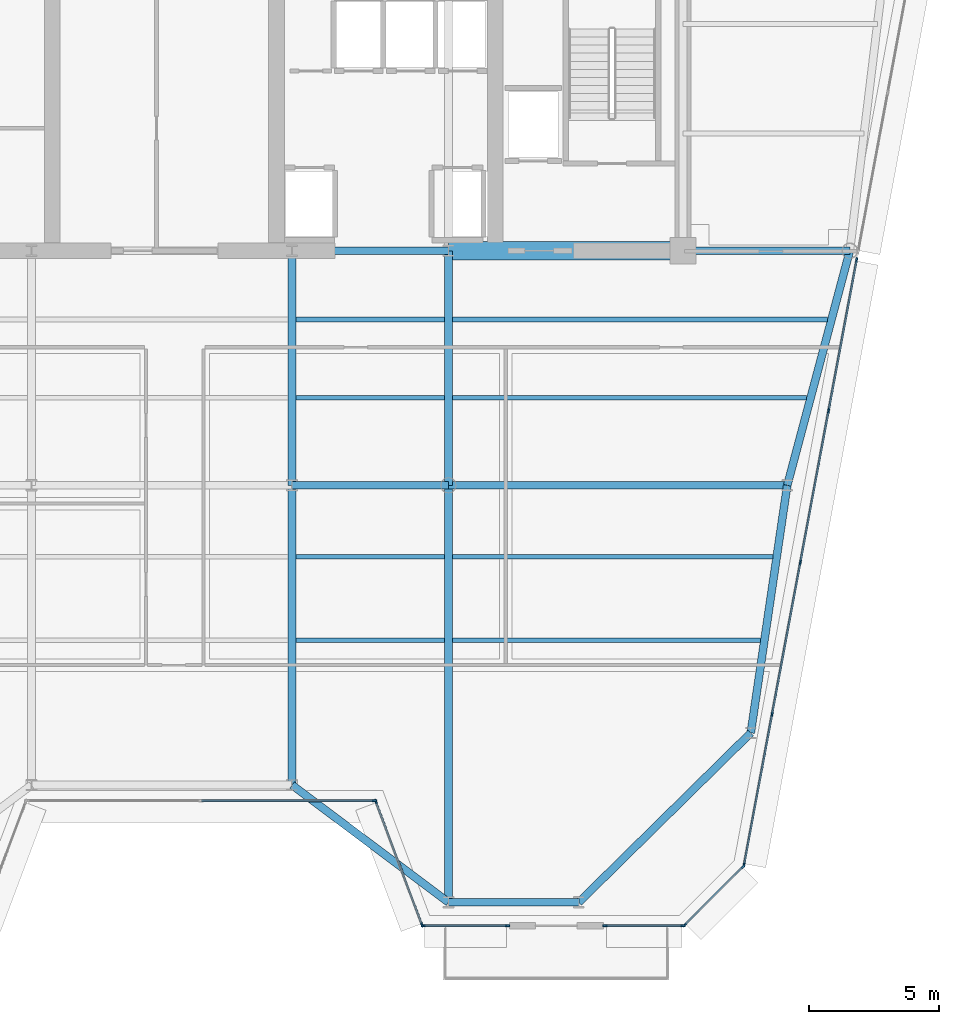
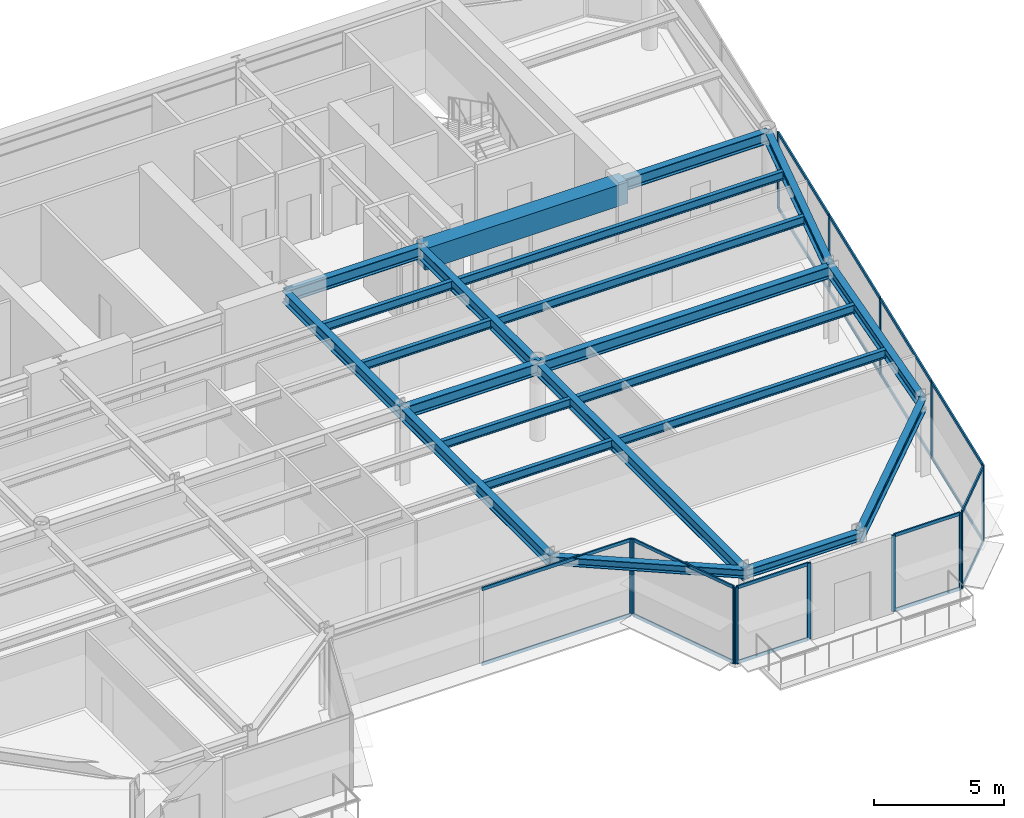
# One storey, part 4 of 14: 32 members, 22 beams, 6 elements without a shape of their own.
"""IFC4 building model written with IfcOpenShell, lengths in metres."""

from ifc_helpers import new_model, si_unit, direction, frame, origin, origin_2d, place, context, subcontext, project, spatial, rectangle, i_section, extrude, source, transform, mapped, material, layer, layer_set, material_profile, profile_set, type_object, element, aggregate, save


model = new_model("IFC4")

# Units and contexts
model_context = context("Model", 3, precision=1e-05, world=origin(), true_north=direction((0.0, 1.0)))
body_context = subcontext(model_context, "Body", "Model", "MODEL_VIEW")
ifc_project = project(units=[si_unit("LENGTHUNIT", "METRE"), si_unit("AREAUNIT", "SQUARE_METRE"), si_unit("VOLUMEUNIT", "CUBIC_METRE"), si_unit("PLANEANGLEUNIT", "RADIAN"), si_unit("MASSUNIT", "GRAM", prefix="KILO")], contexts=[model_context])

# Site, building, storey
site_placement = place(None, origin())
site = spatial("IfcSite", under=ifc_project, at=site_placement, CompositionType="ELEMENT")
building_placement = place(site_placement, origin())
building = spatial("IfcBuilding", under=site, at=building_placement, Name="Vaeldorn Concourse Tower", CompositionType="ELEMENT")
storey_placement = place(building_placement, frame((0.0, 0.0, 238.39990234375)))
storey = spatial("IfcBuildingStorey", under=building, at=storey_placement, Name="L61", CompositionType="ELEMENT", Elevation=238.39990234375)

# Beams
ifc_material_1 = material(Name="Concrete C50/60", Category="concrete")
ifc_material_profile_1 = material_profile(ifc_material_1, rectangle(XDim=0.699951171875, YDim=1.0, at=origin_2d()), Name="RC 700x1000")
ifc_profile_set_1 = profile_set([ifc_material_profile_1], Name="Concrete C50/60")
beam_type_1 = type_object("IfcBeamType", Name="BM-CB-RC700", PredefinedType="BEAM", material=ifc_profile_set_1)
shared_shape_1 = source(origin(), body_context, "Body", "SweptSolid", [
    extrude(rectangle(XDim=0.699951171875, YDim=1.0, at=origin_2d()), origin(), (0.0, 0.0, 1.0), 9.0),
])
beam_1_placement = place(storey_placement, frame((45.0, 36.5, 3.080078125), z_axis=(1.0, 0.0, 0.0), x_axis=(0.0, 1.0, 0.0)))
element("IfcBeam", 1, at=beam_1_placement, inside=storey, type_object=beam_type_1, Name="Core Coupling Beam L61-2", PredefinedType="BEAM", context=body_context, shape_type="MappedRepresentation", body=[
    mapped(shared_shape_1, transform((0.0, 0.0, 0.0), scale=1.0)),
])
ifc_material_2 = material(Name="Steel S355", Category="steel")
ifc_material_profile_2 = material_profile(ifc_material_2, i_section(OverallWidth=0.300048828125, OverallDepth=0.39990234375, WebThickness=0.013427734375, FlangeThickness=0.02392578125, FilletRadius=0.027099609375, at=origin_2d()), Name="HEB 400")
ifc_profile_set_2 = profile_set([ifc_material_profile_2], Name="Steel S355")
beam_type_2 = type_object("IfcBeamType", Name="BM-SP-HEB400", PredefinedType="SPANDREL", material=ifc_profile_set_2)
shared_shape_2 = source(origin(), body_context, "Body", "SweptSolid", [
    extrude(i_section(OverallWidth=0.300048828125, OverallDepth=0.39990234375, WebThickness=0.013427734375, FlangeThickness=0.02392578125, FilletRadius=0.027099609375, at=origin_2d()), origin(), (0.0, 0.0, 1.0), 5.0),
])
beam_2_placement = place(storey_placement, frame((45.0, 11.5, 3.380126953125), z_axis=(1.0, 0.0, 0.0), x_axis=(0.0, 1.0, 0.0)))
element("IfcBeam", 2, at=beam_2_placement, inside=storey, type_object=beam_type_2, Name="Beam BM-L61-C-SF5-C-SF6", PredefinedType="SPANDREL", context=body_context, shape_type="MappedRepresentation", body=[
    mapped(shared_shape_2, transform((0.0, 0.0, 0.0), scale=1.0)),
])
shared_shape_3 = source(origin(), body_context, "Body", "SweptSolid", [
    extrude(i_section(OverallWidth=0.300048828125, OverallDepth=0.39990234375, WebThickness=0.013427734375, FlangeThickness=0.02392578125, FilletRadius=0.027099609375, at=origin_2d()), origin(), (0.0, 0.0, 1.0), 7.5),
])
beam_3_placement = place(storey_placement, frame((39.0, 16.0, 3.380126953125), z_axis=(0.8, -0.6, 0.0), x_axis=(0.6, 0.8, 0.0)))
element("IfcBeam", 3, at=beam_3_placement, inside=storey, type_object=beam_type_2, Name="Beam BM-L61-C-SF4-C-SF5", PredefinedType="SPANDREL", context=body_context, shape_type="MappedRepresentation", body=[
    mapped(shared_shape_3, transform((0.0, 0.0, 0.0), scale=1.0)),
])
ifc_material_profile_3 = material_profile(ifc_material_2, i_section(OverallWidth=0.179931640625, OverallDepth=0.39990234375, WebThickness=0.008544921875, FlangeThickness=0.013427734375, FilletRadius=0.02099609375, at=origin_2d()), Name="IPE 400")
ifc_profile_set_3 = profile_set([ifc_material_profile_3], Name="Steel S355")
beam_type_3 = type_object("IfcBeamType", Name="BM-JS-IPE400", PredefinedType="JOIST", material=ifc_profile_set_3)
shared_shape_4 = source(origin(), body_context, "Body", "SweptSolid", [
    extrude(i_section(OverallWidth=0.179931640625, OverallDepth=0.39990234375, WebThickness=0.008544921875, FlangeThickness=0.013427734375, FilletRadius=0.02099609375, at=origin_2d()), origin(), (0.0, 0.0, 1.0), 5.7001953125),
])
for number, where, z_axis, x_axis, name in (
    (4, (39.14990234375, 21.56005859375, 3.380126953125), (1.0, 0.0, 0.0), (0.0, 1.0, 0.0), "Beam JS-L61-E2-215"),
    (5, (39.14990234375, 24.760009765625, 3.380126953125), (1.0, 0.0, 0.0), (0.0, 1.0, 0.0), "Beam JS-L61-E2-247"),
    (6, (39.14990234375, 30.860107421875, 3.380126953125), (1.0, 0.0, 0.0), (0.0, 1.0, 0.0), "Beam JS-L61-E2-308"),
    (7, (39.14990234375, 33.860107421875, 3.380126953125), (1.0, 0.0, 0.0), (0.0, 1.0, 0.0), "Beam JS-L61-E2-338"),
):
    element("IfcBeam", number, at=place(storey_placement, frame(where, z_axis=z_axis, x_axis=x_axis)), inside=storey, type_object=beam_type_3, Name=name, PredefinedType="JOIST", context=body_context, shape_type="MappedRepresentation", body=[
        mapped(shared_shape_4, transform((0.0, 0.0, 0.0), scale=1.0)),
    ])
shared_shape_5 = source(origin(), body_context, "Body", "SweptSolid", [
    extrude(i_section(OverallWidth=0.179931640625, OverallDepth=0.39990234375, WebThickness=0.008544921875, FlangeThickness=0.013427734375, FilletRadius=0.02099609375, at=origin_2d()), origin(), (0.0, 0.0, 1.0), 11.82470703125),
])
beam_4_placement = place(storey_placement, frame((45.14990234375, 21.56005859375, 3.380126953125), z_axis=(1.0, 0.0, 0.0), x_axis=(0.0, 1.0, 0.0)))
element("IfcBeam", 8, at=beam_4_placement, inside=storey, type_object=beam_type_3, Name="Beam JS-L61-E1-215", PredefinedType="JOIST", context=body_context, shape_type="MappedRepresentation", body=[
    mapped(shared_shape_5, transform((0.0, 0.0, 0.0), scale=1.0)),
])
shared_shape_6 = source(origin(), body_context, "Body", "SweptSolid", [
    extrude(i_section(OverallWidth=0.179931640625, OverallDepth=0.39990234375, WebThickness=0.008544921875, FlangeThickness=0.013427734375, FilletRadius=0.02099609375, at=origin_2d()), origin(), (0.0, 0.0, 1.0), 12.29638671875),
])
beam_5_placement = place(storey_placement, frame((45.14990234375, 24.760009765625, 3.380126953125), z_axis=(1.0, 0.0, 0.0), x_axis=(0.0, 1.0, 0.0)))
element("IfcBeam", 9, at=beam_5_placement, inside=storey, type_object=beam_type_3, Name="Beam JS-L61-E1-247", PredefinedType="JOIST", context=body_context, shape_type="MappedRepresentation", body=[
    mapped(shared_shape_6, transform((0.0, 0.0, 0.0), scale=1.0)),
])
shared_shape_7 = source(origin(), body_context, "Body", "SweptSolid", [
    extrude(i_section(OverallWidth=0.179931640625, OverallDepth=0.39990234375, WebThickness=0.008544921875, FlangeThickness=0.013427734375, FilletRadius=0.02099609375, at=origin_2d()), origin(), (0.0, 0.0, 1.0), 13.59619140625),
])
beam_6_placement = place(storey_placement, frame((45.14990234375, 30.860107421875, 3.380126953125), z_axis=(1.0, 0.0, 0.0), x_axis=(0.0, 1.0, 0.0)))
element("IfcBeam", 10, at=beam_6_placement, inside=storey, type_object=beam_type_3, Name="Beam JS-L61-E1-308", PredefinedType="JOIST", context=body_context, shape_type="MappedRepresentation", body=[
    mapped(shared_shape_7, transform((0.0, 0.0, 0.0), scale=1.0)),
])
shared_shape_8 = source(origin(), body_context, "Body", "SweptSolid", [
    extrude(i_section(OverallWidth=0.179931640625, OverallDepth=0.39990234375, WebThickness=0.008544921875, FlangeThickness=0.013427734375, FilletRadius=0.02099609375, at=origin_2d()), origin(), (0.0, 0.0, 1.0), 14.39599609375),
])
beam_7_placement = place(storey_placement, frame((45.14990234375, 33.860107421875, 3.380126953125), z_axis=(1.0, 0.0, 0.0), x_axis=(0.0, 1.0, 0.0)))
element("IfcBeam", 11, at=beam_7_placement, inside=storey, type_object=beam_type_3, Name="Beam JS-L61-E1-338", PredefinedType="JOIST", context=body_context, shape_type="MappedRepresentation", body=[
    mapped(shared_shape_8, transform((0.0, 0.0, 0.0), scale=1.0)),
])
ifc_material_profile_4 = material_profile(ifc_material_2, i_section(OverallWidth=0.300048828125, OverallDepth=0.550048828125, WebThickness=0.014892578125, FlangeThickness=0.029052734375, FilletRadius=0.027099609375, at=origin_2d()), Name="HEB 550")
ifc_profile_set_4 = profile_set([ifc_material_profile_4], Name="Steel S355")
beam_type_4 = type_object("IfcBeamType", Name="BM-PG-HEB550", PredefinedType="BEAM", material=ifc_profile_set_4)
shared_shape_9 = source(origin(), body_context, "Body", "SweptSolid", [
    extrude(i_section(OverallWidth=0.300048828125, OverallDepth=0.550048828125, WebThickness=0.014892578125, FlangeThickness=0.029052734375, FilletRadius=0.027099609375, at=origin_2d()), origin(), (0.0, 0.0, 1.0), 6.0),
])
for number, where, z_axis, x_axis, name in (
    (12, (39.0, 36.5, 3.30517578125), (1.0, 0.0, 0.0), (0.0, 1.0, 0.0), "Beam BM-L61-C-FC4-C-FC5"),
    (13, (39.0, 27.5, 3.30517578125), (1.0, 0.0, 0.0), (0.0, 1.0, 0.0), "Beam BM-L61-C-TW3-C-TW4"),
):
    element("IfcBeam", number, at=place(storey_placement, frame(where, z_axis=z_axis, x_axis=x_axis)), inside=storey, type_object=beam_type_4, Name=name, PredefinedType="BEAM", context=body_context, shape_type="MappedRepresentation", body=[
        mapped(shared_shape_9, transform((0.0, 0.0, 0.0), scale=1.0)),
    ])
shared_shape_10 = source(origin(), body_context, "Body", "SweptSolid", [
    extrude(i_section(OverallWidth=0.300048828125, OverallDepth=0.550048828125, WebThickness=0.014892578125, FlangeThickness=0.029052734375, FilletRadius=0.027099609375, at=origin_2d()), origin(), (0.0, 0.0, 1.0), 9.0),
])
for number, where, z_axis, x_axis, name in (
    (14, (39.0, 27.5, 3.30517578125), (0.0, 1.0, 0.0), (-1.0, 0.0, 0.0), "Beam BM-L61-C-TW3-C-FC4"),
    (15, (45.0, 27.5, 3.30517578125), (0.0, 1.0, 0.0), (-1.0, 0.0, 0.0), "Beam BM-L61-C-TW4-C-FC5"),
):
    element("IfcBeam", number, at=place(storey_placement, frame(where, z_axis=z_axis, x_axis=x_axis)), inside=storey, type_object=beam_type_4, Name=name, PredefinedType="BEAM", context=body_context, shape_type="MappedRepresentation", body=[
        mapped(shared_shape_10, transform((0.0, 0.0, 0.0), scale=1.0)),
    ])
shared_shape_11 = source(origin(), body_context, "Body", "SweptSolid", [
    extrude(i_section(OverallWidth=0.300048828125, OverallDepth=0.550048828125, WebThickness=0.014892578125, FlangeThickness=0.029052734375, FilletRadius=0.027099609375, at=origin_2d()), origin(), (0.0, 0.0, 1.0), 6.39990234375),
])
beam_8_placement = place(storey_placement, frame((54.0, 36.5, 3.30517578125), z_axis=(1.0, 0.0, 0.0), x_axis=(0.0, 1.0, 0.0)))
element("IfcBeam", 16, at=beam_8_placement, inside=storey, type_object=beam_type_4, Name="Beam BM-L61-C-FC6-C-NE2", PredefinedType="BEAM", context=body_context, shape_type="MappedRepresentation", body=[
    mapped(shared_shape_11, transform((0.0, 0.0, 0.0), scale=1.0)),
])
shared_shape_12 = source(origin(), body_context, "Body", "SweptSolid", [
    extrude(i_section(OverallWidth=0.300048828125, OverallDepth=0.550048828125, WebThickness=0.014892578125, FlangeThickness=0.029052734375, FilletRadius=0.027099609375, at=origin_2d()), origin(), (0.0, 0.0, 1.0), 9.314453125),
])
beam_9_placement = place(storey_placement, frame((60.39990234375, 36.5, 3.30517578125), z_axis=(-0.257652862255, -0.966237549763, 0.0), x_axis=(0.966237549763, -0.257652862255, 0.0)))
element("IfcBeam", 17, at=beam_9_placement, inside=storey, type_object=beam_type_4, Name="Beam BM-L61-C-NE2-C-FLE1", PredefinedType="BEAM", context=body_context, shape_type="MappedRepresentation", body=[
    mapped(shared_shape_12, transform((0.0, 0.0, 0.0), scale=1.0)),
])
shared_shape_13 = source(origin(), body_context, "Body", "SweptSolid", [
    extrude(i_section(OverallWidth=0.300048828125, OverallDepth=0.550048828125, WebThickness=0.014892578125, FlangeThickness=0.029052734375, FilletRadius=0.027099609375, at=origin_2d()), origin(), (0.0, 0.0, 1.0), 13.0),
])
beam_10_placement = place(storey_placement, frame((45.0, 27.5, 3.30517578125), z_axis=(1.0, 0.0, 0.0), x_axis=(0.0, 1.0, 0.0)))
element("IfcBeam", 18, at=beam_10_placement, inside=storey, type_object=beam_type_4, Name="Beam BM-L61-C-TW4-C-FLE1", PredefinedType="BEAM", context=body_context, shape_type="MappedRepresentation", body=[
    mapped(shared_shape_13, transform((0.0, 0.0, 0.0), scale=1.0)),
])
shared_shape_14 = source(origin(), body_context, "Body", "SweptSolid", [
    extrude(i_section(OverallWidth=0.300048828125, OverallDepth=0.550048828125, WebThickness=0.014892578125, FlangeThickness=0.029052734375, FilletRadius=0.027099609375, at=origin_2d()), origin(), (0.0, 0.0, 1.0), 9.6025390625),
])
beam_11_placement = place(storey_placement, frame((58.0, 27.5, 3.30517578125), z_axis=(-0.145783835977, -0.989316467652, 0.0), x_axis=(0.989316467652, -0.145783835977, 0.0)))
element("IfcBeam", 19, at=beam_11_placement, inside=storey, type_object=beam_type_4, Name="Beam BM-L61-C-FLE1-C-FLE2", PredefinedType="BEAM", context=body_context, shape_type="MappedRepresentation", body=[
    mapped(shared_shape_14, transform((0.0, 0.0, 0.0), scale=1.0)),
])
shared_shape_15 = source(origin(), body_context, "Body", "SweptSolid", [
    extrude(i_section(OverallWidth=0.300048828125, OverallDepth=0.550048828125, WebThickness=0.014892578125, FlangeThickness=0.029052734375, FilletRadius=0.027099609375, at=origin_2d()), origin(), (0.0, 0.0, 1.0), 9.263427734375),
])
beam_12_placement = place(storey_placement, frame((50.0, 11.5, 3.30517578125), z_axis=(0.71248897494, 0.701683305053, 0.0), x_axis=(-0.701683305053, 0.71248897494, 0.0)))
element("IfcBeam", 20, at=beam_12_placement, inside=storey, type_object=beam_type_4, Name="Beam BM-L61-C-SF6-C-FLE2", PredefinedType="BEAM", context=body_context, shape_type="MappedRepresentation", body=[
    mapped(shared_shape_15, transform((0.0, 0.0, 0.0), scale=1.0)),
])
shared_shape_16 = source(origin(), body_context, "Body", "SweptSolid", [
    extrude(i_section(OverallWidth=0.300048828125, OverallDepth=0.550048828125, WebThickness=0.014892578125, FlangeThickness=0.029052734375, FilletRadius=0.027099609375, at=origin_2d()), origin(), (0.0, 0.0, 1.0), 16.0),
])
beam_13_placement = place(storey_placement, frame((45.0, 11.5, 3.30517578125), z_axis=(0.0, 1.0, 0.0), x_axis=(-1.0, 0.0, 0.0)))
element("IfcBeam", 21, at=beam_13_placement, inside=storey, type_object=beam_type_4, Name="Beam BM-L61-C-SF5-C-TW4", PredefinedType="BEAM", context=body_context, shape_type="MappedRepresentation", body=[
    mapped(shared_shape_16, transform((0.0, 0.0, 0.0), scale=1.0)),
])
shared_shape_17 = source(origin(), body_context, "Body", "SweptSolid", [
    extrude(i_section(OverallWidth=0.300048828125, OverallDepth=0.550048828125, WebThickness=0.014892578125, FlangeThickness=0.029052734375, FilletRadius=0.027099609375, at=origin_2d()), origin(), (0.0, 0.0, 1.0), 11.5),
])
beam_14_placement = place(storey_placement, frame((39.0, 16.0, 3.30517578125), z_axis=(0.0, 1.0, 0.0), x_axis=(-1.0, 0.0, 0.0)))
element("IfcBeam", 22, at=beam_14_placement, inside=storey, type_object=beam_type_4, Name="Beam BM-L61-C-SF4-C-TW3", PredefinedType="BEAM", context=body_context, shape_type="MappedRepresentation", body=[
    mapped(shared_shape_17, transform((0.0, 0.0, 0.0), scale=1.0)),
])

# Curtain wall, members
ifc_material_3 = material(Name="Anodised Bronze Aluminium", Category="aluminium")
ifc_layer = layer(ifc_material_3, 0.2099609375)
ifc_layer_set = layer_set([ifc_layer], Name="Anodised Bronze Aluminium")
curtain_wall_type = type_object("IfcCurtainWallType", Name="CW-SYS-06", PredefinedType="NOTDEFINED", material=ifc_layer_set)
curtain_wall_1_placement = place(storey_placement, origin())
curtain_wall_1 = element("IfcCurtainWall", 23, at=curtain_wall_1_placement, inside=storey, type_object=curtain_wall_type, Name="Unitised Curtain Wall CW-L61-E04-1", PredefinedType="NOTDEFINED")
ifc_material_profile_5 = material_profile(ifc_material_3, rectangle(XDim=0.06494140625, YDim=0.14990234375, at=origin_2d()), Name="CWT 65x150")
ifc_profile_set_5 = profile_set([ifc_material_profile_5], Name="Anodised Bronze Aluminium")
member_type_1 = type_object("IfcMemberType", Name="CWT-BRONZE-150", PredefinedType="USERDEFINED", material=ifc_profile_set_5)
shared_shape_18 = source(origin(), body_context, "Body", "SweptSolid", [
    extrude(rectangle(XDim=0.06494140625, YDim=0.14990234375, at=origin_2d()), origin(), (0.0, 0.0, 1.0), 4.996337890625),
])
member_1_placement = place(storey_placement, frame((42.222900390625, 15.339111328125, 0.03271484375), z_axis=(0.351134151405, -0.936325161318, 0.0), x_axis=(0.936325161318, 0.351134151405, 0.0)))
member_1 = element("IfcMember", 24, at=member_1_placement, type_object=member_type_1, Name="CW-06 transom 1.1", ObjectType="TRANSOM", PredefinedType="USERDEFINED", context=body_context, shape_type="MappedRepresentation", body=[
    mapped(shared_shape_18, transform((0.0, 0.0, 0.0), scale=1.0)),
])
member_2_placement = place(storey_placement, frame((42.222900390625, 15.339111328125, 3.547607421875), z_axis=(0.351134151405, -0.936325161318, 0.0), x_axis=(0.936325161318, 0.351134151405, 0.0)))
member_2 = element("IfcMember", 25, at=member_2_placement, type_object=member_type_1, Name="CW-06 transom 1.2", ObjectType="TRANSOM", PredefinedType="USERDEFINED", context=body_context, shape_type="MappedRepresentation", body=[
    mapped(shared_shape_18, transform((0.0, 0.0, 0.0), scale=1.0)),
])

curtain_wall_2_placement = place(storey_placement, origin())
curtain_wall_2 = element("IfcCurtainWall", 26, at=curtain_wall_2_placement, inside=storey, type_object=curtain_wall_type, Name="Unitised Curtain Wall CW-L61-E03-1", PredefinedType="NOTDEFINED")
shared_shape_19 = source(origin(), body_context, "Body", "SweptSolid", [
    extrude(rectangle(XDim=0.06494140625, YDim=0.14990234375, at=origin_2d()), origin(), (0.0, 0.0, 1.0), 6.6025390625),
])
member_3_placement = place(storey_placement, frame((35.532470703125, 15.39990234375, 0.03271484375), z_axis=(1.0, 0.0, 0.0), x_axis=(0.0, 1.0, 0.0)))
member_3 = element("IfcMember", 27, at=member_3_placement, type_object=member_type_1, Name="CW-06 transom 2.1", ObjectType="TRANSOM", PredefinedType="USERDEFINED", context=body_context, shape_type="MappedRepresentation", body=[
    mapped(shared_shape_19, transform((0.0, 0.0, 0.0), scale=1.0)),
])
member_4_placement = place(storey_placement, frame((35.532470703125, 15.39990234375, 3.547607421875), z_axis=(1.0, 0.0, 0.0), x_axis=(0.0, 1.0, 0.0)))
member_4 = element("IfcMember", 28, at=member_4_placement, type_object=member_type_1, Name="CW-06 transom 2.2", ObjectType="TRANSOM", PredefinedType="USERDEFINED", context=body_context, shape_type="MappedRepresentation", body=[
    mapped(shared_shape_19, transform((0.0, 0.0, 0.0), scale=1.0)),
])

curtain_wall_3_placement = place(storey_placement, origin())
curtain_wall_3 = element("IfcCurtainWall", 29, at=curtain_wall_3_placement, inside=storey, type_object=curtain_wall_type, Name="Unitised Curtain Wall CW-L61-E06-1", PredefinedType="NOTDEFINED")
shared_shape_20 = source(origin(), body_context, "Body", "SweptSolid", [
    extrude(rectangle(XDim=0.06494140625, YDim=0.14990234375, at=origin_2d()), origin(), (0.0, 0.0, 1.0), 3.12255859375),
])
member_5_placement = place(storey_placement, frame((54.080078125, 10.64599609375, 0.03271484375), z_axis=(0.707106781187, 0.707106781187, 0.0), x_axis=(-0.707106781187, 0.707106781187, 0.0)))
member_5 = element("IfcMember", 30, at=member_5_placement, type_object=member_type_1, Name="CW-06 transom 1.1", ObjectType="TRANSOM", PredefinedType="USERDEFINED", context=body_context, shape_type="MappedRepresentation", body=[
    mapped(shared_shape_20, transform((0.0, 0.0, 0.0), scale=1.0)),
])
member_6_placement = place(storey_placement, frame((54.080078125, 10.64599609375, 3.547607421875), z_axis=(0.707106781187, 0.707106781187, 0.0), x_axis=(-0.707106781187, 0.707106781187, 0.0)))
member_6 = element("IfcMember", 31, at=member_6_placement, type_object=member_type_1, Name="CW-06 transom 1.2", ObjectType="TRANSOM", PredefinedType="USERDEFINED", context=body_context, shape_type="MappedRepresentation", body=[
    mapped(shared_shape_20, transform((0.0, 0.0, 0.0), scale=1.0)),
])

# Member
ifc_material_profile_6 = material_profile(ifc_material_3, rectangle(XDim=0.06494140625, YDim=0.169921875, at=origin_2d()), Name="CWM 65x170")
ifc_profile_set_6 = profile_set([ifc_material_profile_6], Name="Anodised Bronze Aluminium")
member_type_2 = type_object("IfcMemberType", Name="CWM-BRONZE-170", PredefinedType="MULLION", material=ifc_profile_set_6)
shared_shape_21 = source(origin(), body_context, "Body", "SweptSolid", [
    extrude(rectangle(XDim=0.06494140625, YDim=0.169921875, at=origin_2d()), origin(), (0.0, 0.0, 1.0), 3.580078125),
])
member_7_placement = place(storey_placement, frame((42.16748046875, 15.39990234375, 0.0), z_axis=(0.0, 0.0, 1.0), x_axis=(0.0, 1.0, 0.0)))
member_7 = element("IfcMember", 32, at=member_7_placement, type_object=member_type_2, Name="CW-06 mullion 3", PredefinedType="MULLION", context=body_context, shape_type="MappedRepresentation", body=[
    mapped(shared_shape_21, transform((0.0, 0.0, 0.0), scale=1.0)),
])

aggregate(curtain_wall_2, [member_7, member_3, member_4])

member_8_placement = place(storey_placement, frame((42.21142578125, 15.36962890625, 0.0), z_axis=(0.0, 0.0, 1.0), x_axis=(0.936329177566, 0.351123441595, 0.0)))
member_8 = element("IfcMember", 33, at=member_8_placement, type_object=member_type_2, Name="CW-06 mullion 1", PredefinedType="MULLION", context=body_context, shape_type="MappedRepresentation", body=[
    mapped(shared_shape_21, transform((0.0, 0.0, 0.0), scale=1.0)),
])

member_9_placement = place(storey_placement, frame((43.988525390625, 10.63037109375, 0.0), z_axis=(0.0, 0.0, 1.0), x_axis=(0.936329177566, 0.351123441595, 0.0)))
member_9 = element("IfcMember", 34, at=member_9_placement, type_object=member_type_2, Name="CW-06 mullion 2", PredefinedType="MULLION", context=body_context, shape_type="MappedRepresentation", body=[
    mapped(shared_shape_21, transform((0.0, 0.0, 0.0), scale=1.0)),
])

aggregate(curtain_wall_1, [member_8, member_9, member_1, member_2])

# Curtain wall, members
curtain_wall_4_placement = place(storey_placement, origin())
curtain_wall_4 = element("IfcCurtainWall", 35, at=curtain_wall_4_placement, inside=storey, type_object=curtain_wall_type, Name="Unitised Curtain Wall CW-L61-E05-1", PredefinedType="NOTDEFINED")
member_10_placement = place(storey_placement, frame((44.032470703125, 10.60009765625, 0.0), z_axis=(0.0, 0.0, 1.0), x_axis=(0.0, 1.0, 0.0)))
member_10 = element("IfcMember", 36, at=member_10_placement, type_object=member_type_2, Name="CW-06 mullion 1", PredefinedType="MULLION", context=body_context, shape_type="MappedRepresentation", body=[
    mapped(shared_shape_21, transform((0.0, 0.0, 0.0), scale=1.0)),
])
member_11_placement = place(storey_placement, frame((47.267578125, 10.60009765625, 0.0), z_axis=(0.0, 0.0, 1.0), x_axis=(0.0, 1.0, 0.0)))
member_11 = element("IfcMember", 37, at=member_11_placement, type_object=member_type_2, Name="CW-06 mullion 2", PredefinedType="MULLION", context=body_context, shape_type="MappedRepresentation", body=[
    mapped(shared_shape_21, transform((0.0, 0.0, 0.0), scale=1.0)),
])

curtain_wall_5_placement = place(storey_placement, origin())
curtain_wall_5 = element("IfcCurtainWall", 38, at=curtain_wall_5_placement, inside=storey, type_object=curtain_wall_type, Name="Unitised Curtain Wall CW-L61-E05-2", PredefinedType="NOTDEFINED")
member_12_placement = place(storey_placement, frame((51.012451171875, 10.60009765625, 0.0), z_axis=(0.0, 0.0, 1.0), x_axis=(0.0, 1.0, 0.0)))
member_12 = element("IfcMember", 39, at=member_12_placement, type_object=member_type_2, Name="CW-06 mullion 1", PredefinedType="MULLION", context=body_context, shape_type="MappedRepresentation", body=[
    mapped(shared_shape_21, transform((0.0, 0.0, 0.0), scale=1.0)),
])
member_13_placement = place(storey_placement, frame((54.00146484375, 10.60009765625, 0.0), z_axis=(0.0, 0.0, 1.0), x_axis=(0.0, 1.0, 0.0)))
member_13 = element("IfcMember", 40, at=member_13_placement, type_object=member_type_2, Name="CW-06 mullion 2", PredefinedType="MULLION", context=body_context, shape_type="MappedRepresentation", body=[
    mapped(shared_shape_21, transform((0.0, 0.0, 0.0), scale=1.0)),
])

# Member
member_14_placement = place(storey_placement, frame((54.056884765625, 10.623046875, 0.0), z_axis=(0.0, 0.0, 1.0), x_axis=(-0.707106781187, 0.707106781187, 0.0)))
member_14 = element("IfcMember", 41, at=member_14_placement, type_object=member_type_2, Name="CW-06 mullion 1", PredefinedType="MULLION", context=body_context, shape_type="MappedRepresentation", body=[
    mapped(shared_shape_21, transform((0.0, 0.0, 0.0), scale=1.0)),
])

member_15_placement = place(storey_placement, frame((56.31103515625, 12.876953125, 0.0), z_axis=(0.0, 0.0, 1.0), x_axis=(-0.707106781187, 0.707106781187, 0.0)))
member_15 = element("IfcMember", 42, at=member_15_placement, type_object=member_type_2, Name="CW-06 mullion 2", PredefinedType="MULLION", context=body_context, shape_type="MappedRepresentation", body=[
    mapped(shared_shape_21, transform((0.0, 0.0, 0.0), scale=1.0)),
])

aggregate(curtain_wall_3, [member_14, member_15, member_5, member_6])

# Curtain wall, members
curtain_wall_6_placement = place(storey_placement, origin())
curtain_wall_6 = element("IfcCurtainWall", 43, at=curtain_wall_6_placement, inside=storey, type_object=curtain_wall_type, Name="Unitised Curtain Wall CW-L61-E07-1", PredefinedType="NOTDEFINED")
member_16_placement = place(storey_placement, frame((56.33984375, 12.931884765625, 0.0), z_axis=(0.0, 0.0, 1.0), x_axis=(-0.983102653673, 0.18305510739, 0.0)))
member_16 = element("IfcMember", 44, at=member_16_placement, type_object=member_type_2, Name="CW-06 mullion 1", PredefinedType="MULLION", context=body_context, shape_type="MappedRepresentation", body=[
    mapped(shared_shape_21, transform((0.0, 0.0, 0.0), scale=1.0)),
])
member_17_placement = place(storey_placement, frame((57.41796875, 18.72119140625, 0.0), z_axis=(0.0, 0.0, 1.0), x_axis=(-0.983102653673, 0.18305510739, 0.0)))
member_17 = element("IfcMember", 45, at=member_17_placement, type_object=member_type_2, Name="CW-06 mullion 2", PredefinedType="MULLION", context=body_context, shape_type="MappedRepresentation", body=[
    mapped(shared_shape_21, transform((0.0, 0.0, 0.0), scale=1.0)),
])
member_18_placement = place(storey_placement, frame((58.501953125, 24.54248046875, 0.0), z_axis=(0.0, 0.0, 1.0), x_axis=(-0.983102653673, 0.18305510739, 0.0)))
member_18 = element("IfcMember", 46, at=member_18_placement, type_object=member_type_2, Name="CW-06 mullion 3", PredefinedType="MULLION", context=body_context, shape_type="MappedRepresentation", body=[
    mapped(shared_shape_21, transform((0.0, 0.0, 0.0), scale=1.0)),
])
member_19_placement = place(storey_placement, frame((59.585693359375, 30.36376953125, 0.0), z_axis=(0.0, 0.0, 1.0), x_axis=(-0.983102653673, 0.18305510739, 0.0)))
member_19 = element("IfcMember", 47, at=member_19_placement, type_object=member_type_2, Name="CW-06 mullion 4", PredefinedType="MULLION", context=body_context, shape_type="MappedRepresentation", body=[
    mapped(shared_shape_21, transform((0.0, 0.0, 0.0), scale=1.0)),
])
member_20_placement = place(storey_placement, frame((60.663818359375, 36.153076171875, 0.0), z_axis=(0.0, 0.0, 1.0), x_axis=(-0.983102653673, 0.18305510739, 0.0)))
member_20 = element("IfcMember", 48, at=member_20_placement, type_object=member_type_2, Name="CW-06 mullion 5", PredefinedType="MULLION", context=body_context, shape_type="MappedRepresentation", body=[
    mapped(shared_shape_21, transform((0.0, 0.0, 0.0), scale=1.0)),
])

# Member
shared_shape_22 = source(origin(), body_context, "Body", "SweptSolid", [
    extrude(rectangle(XDim=0.06494140625, YDim=0.14990234375, at=origin_2d()), origin(), (0.0, 0.0, 1.0), 3.170166015625),
])
member_21_placement = place(storey_placement, frame((44.06494140625, 10.60009765625, 0.03271484375), z_axis=(1.0, 0.0, 0.0), x_axis=(0.0, 1.0, 0.0)))
member_21 = element("IfcMember", 49, at=member_21_placement, type_object=member_type_1, Name="CW-06 transom 1.1", ObjectType="TRANSOM", PredefinedType="USERDEFINED", context=body_context, shape_type="MappedRepresentation", body=[
    mapped(shared_shape_22, transform((0.0, 0.0, 0.0), scale=1.0)),
])

member_22_placement = place(storey_placement, frame((44.06494140625, 10.60009765625, 3.547607421875), z_axis=(1.0, 0.0, 0.0), x_axis=(0.0, 1.0, 0.0)))
member_22 = element("IfcMember", 50, at=member_22_placement, type_object=member_type_1, Name="CW-06 transom 1.2", ObjectType="TRANSOM", PredefinedType="USERDEFINED", context=body_context, shape_type="MappedRepresentation", body=[
    mapped(shared_shape_22, transform((0.0, 0.0, 0.0), scale=1.0)),
])

aggregate(curtain_wall_4, [member_10, member_11, member_21, member_22])

shared_shape_23 = source(origin(), body_context, "Body", "SweptSolid", [
    extrude(rectangle(XDim=0.06494140625, YDim=0.14990234375, at=origin_2d()), origin(), (0.0, 0.0, 1.0), 2.924072265625),
])
member_23_placement = place(storey_placement, frame((51.044921875, 10.60009765625, 0.03271484375), z_axis=(1.0, 0.0, 0.0), x_axis=(0.0, 1.0, 0.0)))
member_23 = element("IfcMember", 51, at=member_23_placement, type_object=member_type_1, Name="CW-06 transom 1.1", ObjectType="TRANSOM", PredefinedType="USERDEFINED", context=body_context, shape_type="MappedRepresentation", body=[
    mapped(shared_shape_23, transform((0.0, 0.0, 0.0), scale=1.0)),
])

member_24_placement = place(storey_placement, frame((51.044921875, 10.60009765625, 3.547607421875), z_axis=(1.0, 0.0, 0.0), x_axis=(0.0, 1.0, 0.0)))
member_24 = element("IfcMember", 52, at=member_24_placement, type_object=member_type_1, Name="CW-06 transom 1.2", ObjectType="TRANSOM", PredefinedType="USERDEFINED", context=body_context, shape_type="MappedRepresentation", body=[
    mapped(shared_shape_23, transform((0.0, 0.0, 0.0), scale=1.0)),
])

aggregate(curtain_wall_5, [member_12, member_13, member_23, member_24])

shared_shape_24 = source(origin(), body_context, "Body", "SweptSolid", [
    extrude(rectangle(XDim=0.06494140625, YDim=0.14990234375, at=origin_2d()), origin(), (0.0, 0.0, 1.0), 5.82373046875),
])
member_25_placement = place(storey_placement, frame((56.345947265625, 12.9638671875, 0.03271484375), z_axis=(0.183030414843, 0.983107251139, 0.0), x_axis=(-0.983107251139, 0.183030414843, 0.0)))
member_25 = element("IfcMember", 53, at=member_25_placement, type_object=member_type_1, Name="CW-06 transom 1.1", ObjectType="TRANSOM", PredefinedType="USERDEFINED", context=body_context, shape_type="MappedRepresentation", body=[
    mapped(shared_shape_24, transform((0.0, 0.0, 0.0), scale=1.0)),
])

member_26_placement = place(storey_placement, frame((56.345947265625, 12.9638671875, 3.547607421875), z_axis=(0.183030414843, 0.983107251139, 0.0), x_axis=(-0.983107251139, 0.183030414843, 0.0)))
member_26 = element("IfcMember", 54, at=member_26_placement, type_object=member_type_1, Name="CW-06 transom 1.2", ObjectType="TRANSOM", PredefinedType="USERDEFINED", context=body_context, shape_type="MappedRepresentation", body=[
    mapped(shared_shape_24, transform((0.0, 0.0, 0.0), scale=1.0)),
])

member_27_placement = place(storey_placement, frame((59.591796875, 30.395751953125, 0.03271484375), z_axis=(0.183030414843, 0.983107251139, 0.0), x_axis=(-0.983107251139, 0.183030414843, 0.0)))
member_27 = element("IfcMember", 55, at=member_27_placement, type_object=member_type_1, Name="CW-06 transom 4.1", ObjectType="TRANSOM", PredefinedType="USERDEFINED", context=body_context, shape_type="MappedRepresentation", body=[
    mapped(shared_shape_24, transform((0.0, 0.0, 0.0), scale=1.0)),
])

member_28_placement = place(storey_placement, frame((59.591796875, 30.395751953125, 3.547607421875), z_axis=(0.183030414843, 0.983107251139, 0.0), x_axis=(-0.983107251139, 0.183030414843, 0.0)))
member_28 = element("IfcMember", 56, at=member_28_placement, type_object=member_type_1, Name="CW-06 transom 4.2", ObjectType="TRANSOM", PredefinedType="USERDEFINED", context=body_context, shape_type="MappedRepresentation", body=[
    mapped(shared_shape_24, transform((0.0, 0.0, 0.0), scale=1.0)),
])

shared_shape_25 = source(origin(), body_context, "Body", "SweptSolid", [
    extrude(rectangle(XDim=0.06494140625, YDim=0.14990234375, at=origin_2d()), origin(), (0.0, 0.0, 1.0), 5.856201171875),
])
member_29_placement = place(storey_placement, frame((57.423828125, 18.753173828125, 0.03271484375), z_axis=(0.18305503402, 0.983102667334, 0.0), x_axis=(-0.983102667334, 0.18305503402, 0.0)))
member_29 = element("IfcMember", 57, at=member_29_placement, type_object=member_type_1, Name="CW-06 transom 2.1", ObjectType="TRANSOM", PredefinedType="USERDEFINED", context=body_context, shape_type="MappedRepresentation", body=[
    mapped(shared_shape_25, transform((0.0, 0.0, 0.0), scale=1.0)),
])

member_30_placement = place(storey_placement, frame((57.423828125, 18.753173828125, 3.547607421875), z_axis=(0.18305503402, 0.983102667334, 0.0), x_axis=(-0.983102667334, 0.18305503402, 0.0)))
member_30 = element("IfcMember", 58, at=member_30_placement, type_object=member_type_1, Name="CW-06 transom 2.2", ObjectType="TRANSOM", PredefinedType="USERDEFINED", context=body_context, shape_type="MappedRepresentation", body=[
    mapped(shared_shape_25, transform((0.0, 0.0, 0.0), scale=1.0)),
])

member_31_placement = place(storey_placement, frame((58.5078125, 24.574462890625, 0.03271484375), z_axis=(0.18305503402, 0.983102667334, 0.0), x_axis=(-0.983102667334, 0.18305503402, 0.0)))
member_31 = element("IfcMember", 59, at=member_31_placement, type_object=member_type_1, Name="CW-06 transom 3.1", ObjectType="TRANSOM", PredefinedType="USERDEFINED", context=body_context, shape_type="MappedRepresentation", body=[
    mapped(shared_shape_25, transform((0.0, 0.0, 0.0), scale=1.0)),
])

member_32_placement = place(storey_placement, frame((58.5078125, 24.574462890625, 3.547607421875), z_axis=(0.18305503402, 0.983102667334, 0.0), x_axis=(-0.983102667334, 0.18305503402, 0.0)))
member_32 = element("IfcMember", 60, at=member_32_placement, type_object=member_type_1, Name="CW-06 transom 3.2", ObjectType="TRANSOM", PredefinedType="USERDEFINED", context=body_context, shape_type="MappedRepresentation", body=[
    mapped(shared_shape_25, transform((0.0, 0.0, 0.0), scale=1.0)),
])

aggregate(curtain_wall_6, [member_16, member_17, member_18, member_19, member_20, member_25, member_26, member_29, member_30, member_31, member_32, member_27, member_28])

save(model, "model.ifc")
